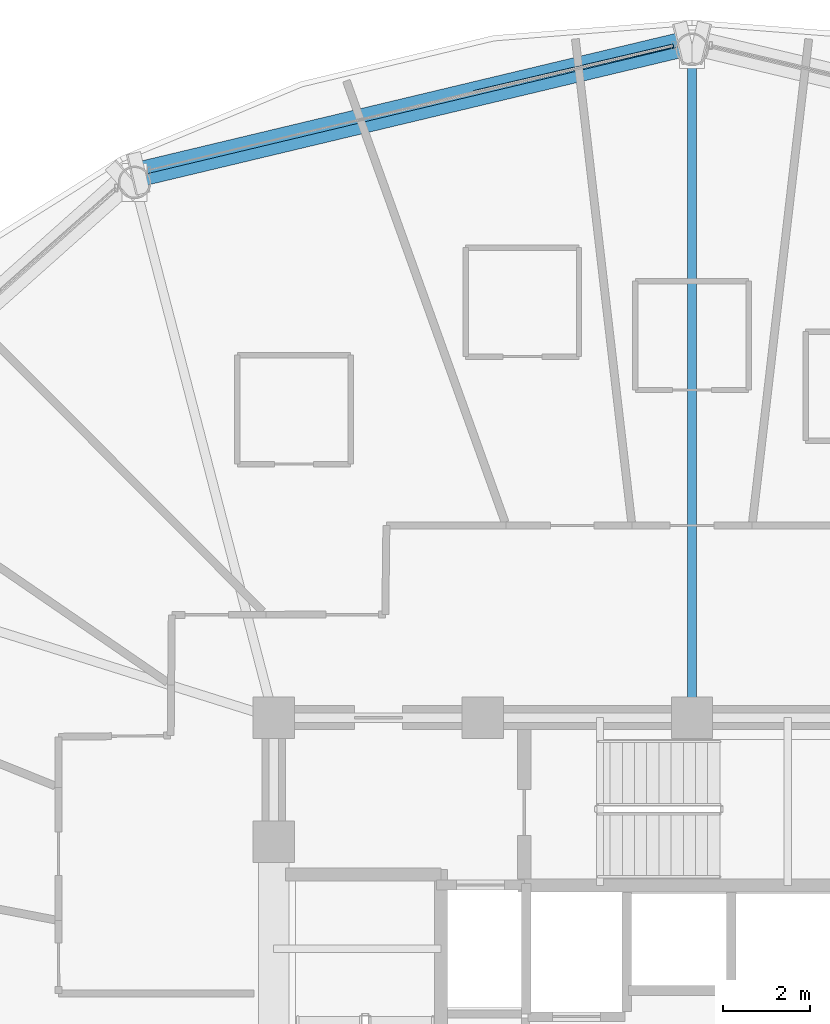
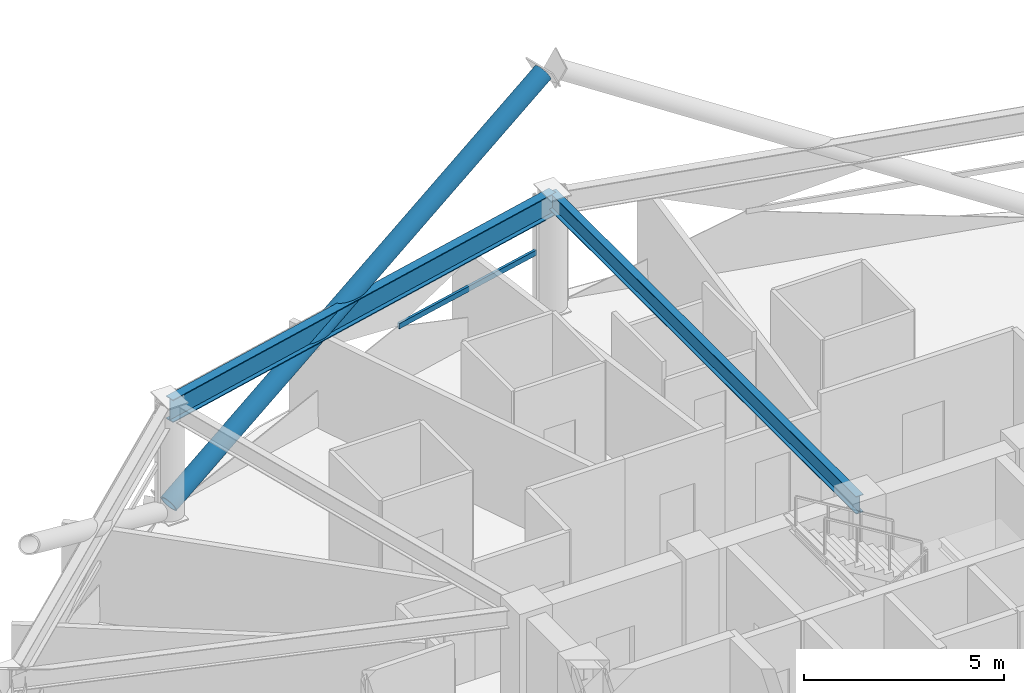
# One storey, part 16 of 32: 2 beams, 2 members, 1 element without a shape of its own.
"""IFC4 building model written with IfcOpenShell, lengths in metres."""

from ifc_helpers import new_model, si_unit, direction, frame, origin, origin_2d, place, context, subcontext, project, spatial, hollow_rectangle, hollow_circle, i_section, extrude, material, layer, layer_set, material_profile, profile_set, type_object, element, aggregate, save


model = new_model("IFC4")

# Units and contexts
model_context = context("Model", 3, precision=1e-05, world=origin(), true_north=direction((0.0, 1.0)))
body_context = subcontext(model_context, "Body", "Model", "MODEL_VIEW")
ifc_project = project(units=[si_unit("LENGTHUNIT", "METRE"), si_unit("AREAUNIT", "SQUARE_METRE"), si_unit("VOLUMEUNIT", "CUBIC_METRE"), si_unit("PLANEANGLEUNIT", "RADIAN"), si_unit("MASSUNIT", "GRAM", prefix="KILO")], contexts=[model_context])

# Site, building, storey
site_placement = place(None, origin())
site = spatial("IfcSite", under=ifc_project, at=site_placement, CompositionType="ELEMENT")
building_placement = place(site_placement, origin())
building = spatial("IfcBuilding", under=site, at=building_placement, Name="Vantalir Tower", CompositionType="ELEMENT")
storey_placement = place(building_placement, frame((0.0, 0.0, 104.699951171875)))
storey = spatial("IfcBuildingStorey", under=building, at=storey_placement, Name="L25", CompositionType="ELEMENT", Elevation=104.699951171875)

# Beams
ifc_material_1 = material(Name="Steel S355", Category="steel")
ifc_material_profile_1 = material_profile(ifc_material_1, i_section(OverallWidth=0.2109375, OverallDepth=0.5390625, WebThickness=0.01171875, FlangeThickness=0.018798828125, at=origin_2d()), Name="Steel S355")
ifc_profile_set_1 = profile_set([ifc_material_profile_1], Name="Steel S355")
beam_type_1 = type_object("IfcBeamType", Name="BM-RB-533x210", PredefinedType="BEAM", material=ifc_profile_set_1)
beam_1_placement = place(storey_placement, frame((31.5, 47.7880859375, 3.300048828125), z_axis=(0.0, -1.0, 0.0), x_axis=(1.0, 0.0, 0.0)))
element("IfcBeam", 1, at=beam_1_placement, inside=storey, type_object=beam_type_1, Name="L25 Radial Floor Beam 04", PredefinedType="BEAM", context=body_context, shape_type="SweptSolid", body=[
    extrude(i_section(OverallWidth=0.2109375, OverallDepth=0.5390625, WebThickness=0.01171875, FlangeThickness=0.018798828125, at=origin_2d()), origin(), (0.0, 0.0, 1.0), 15.338134765625),
])
ifc_material_2 = material(Name="Steel S460", Category="steel")
ifc_material_profile_2 = material_profile(ifc_material_2, i_section(OverallWidth=0.256103515625, OverallDepth=0.693115234375, WebThickness=0.014404296875, FlangeThickness=0.023681640625, at=origin_2d()), Name="Steel S460")
ifc_profile_set_2 = profile_set([ifc_material_profile_2], Name="Steel S460")
beam_type_2 = type_object("IfcBeamType", Name="BM-RG-686x254", PredefinedType="USERDEFINED", material=ifc_profile_set_2)
beam_2_placement = place(storey_placement, frame((31.5, 47.7880859375, 3.22314453125), z_axis=(-0.972689585219, -0.232109824883, 0.0), x_axis=(0.232109824883, -0.972689585219, 0.0)))
element("IfcBeam", 2, at=beam_2_placement, inside=storey, type_object=beam_type_2, Name="L25 Circumferential Ring Girder 04", ObjectType="GIRDER", PredefinedType="USERDEFINED", context=body_context, shape_type="SweptSolid", body=[
    extrude(i_section(OverallWidth=0.256103515625, OverallDepth=0.693115234375, WebThickness=0.014404296875, FlangeThickness=0.023681640625, at=origin_2d()), origin(), (0.0, 0.0, 1.0), 13.153076171875),
])

# Curtain wall, member
ifc_material_3 = material(Name="Champagne-silver PVDF aluminium and double-silver Low-E glass", Category="aluminium")
ifc_layer = layer(ifc_material_3, 0.199951171875)
ifc_layer_set = layer_set([ifc_layer], Name="Champagne-silver PVDF aluminium and double-silver Low-E glass")
curtain_wall_type = type_object("IfcCurtainWallType", Name="CW-DIAMOND-Z2", PredefinedType="USERDEFINED", material=ifc_layer_set)
curtain_wall_placement = place(storey_placement, origin())
curtain_wall = element("IfcCurtainWall", 3, at=curtain_wall_placement, inside=storey, type_object=curtain_wall_type, Name="L25 Quilted Pyramid-Diamond Curtain Wall S04", ObjectType="UNITISED CURTAIN WALL", PredefinedType="USERDEFINED")
ifc_material_4 = material(Name="Champagne-silver PVDF aluminium 6063-T6", Category="aluminium")
ifc_material_profile_3 = material_profile(ifc_material_4, hollow_rectangle(XDim=0.074951171875, YDim=0.159912109375, WallThickness=0.00390625, at=origin_2d()), Name="Champagne-silver PVDF aluminium 6063-T6")
ifc_profile_set_3 = profile_set([ifc_material_profile_3], Name="Champagne-silver PVDF aluminium 6063-T6")
member_type_1 = type_object("IfcMemberType", Name="CWT-160x75", PredefinedType="USERDEFINED", material=ifc_profile_set_3)
member_1_placement = place(storey_placement, frame((31.072021484375, 47.8759765625, 1.78515625), z_axis=(-0.973800591007, -0.227403625641, 0.0), x_axis=(0.227403625641, -0.973800591007, 0.0)))
member_1 = element("IfcMember", 4, at=member_1_placement, type_object=member_type_1, Name="CW-L25-S04 Pyramid Fold Ridge Transom", ObjectType="TRANSOM", PredefinedType="USERDEFINED", context=body_context, shape_type="SweptSolid", body=[
    extrude(hollow_rectangle(XDim=0.074951171875, YDim=0.159912109375, WallThickness=0.00390625, at=origin_2d()), origin(), (0.0, 0.0, 1.0), 4.701416015625),
])
aggregate(curtain_wall, [member_1])

# Member
ifc_material_profile_4 = material_profile(ifc_material_2, hollow_circle(Radius=0.260009765625, WallThickness=0.0380859375, at=origin_2d()), Name="Steel S460")
ifc_profile_set_4 = profile_set([ifc_material_profile_4], Name="Steel S460")
member_type_2 = type_object("IfcMemberType", Name="MEM-DB-520x38", PredefinedType="BRACE", material=ifc_profile_set_4)
member_2_placement = place(storey_placement, frame((18.799072265625, 44.945068359375, 0.18505859375), z_axis=(0.855759229525, 0.204351690831, 0.47530677203), x_axis=(-0.232265303293, 0.972652470765, 0.0)))
element("IfcMember", 5, at=member_2_placement, inside=storey, type_object=member_type_2, Name="L25 Perimeter S460 Diagrid Brace R13R", PredefinedType="BRACE", context=body_context, shape_type="SweptSolid", body=[
    extrude(hollow_circle(Radius=0.260009765625, WallThickness=0.0380859375, at=origin_2d()), origin(), (0.0, 0.0, 1.0), 14.6220703125),
])

save(model, "model.ifc")
